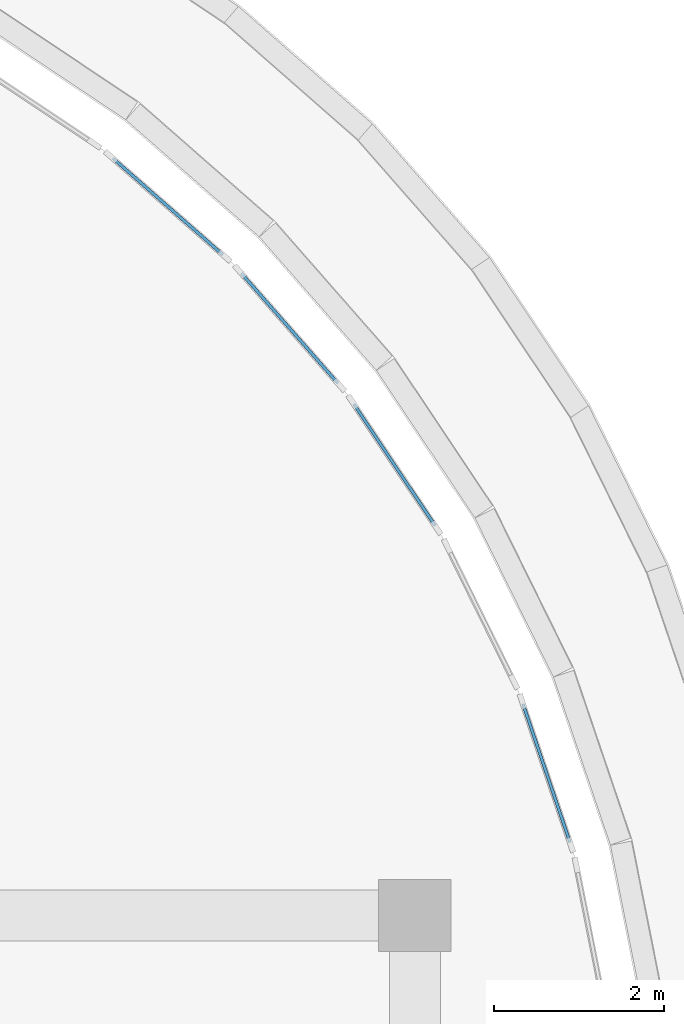
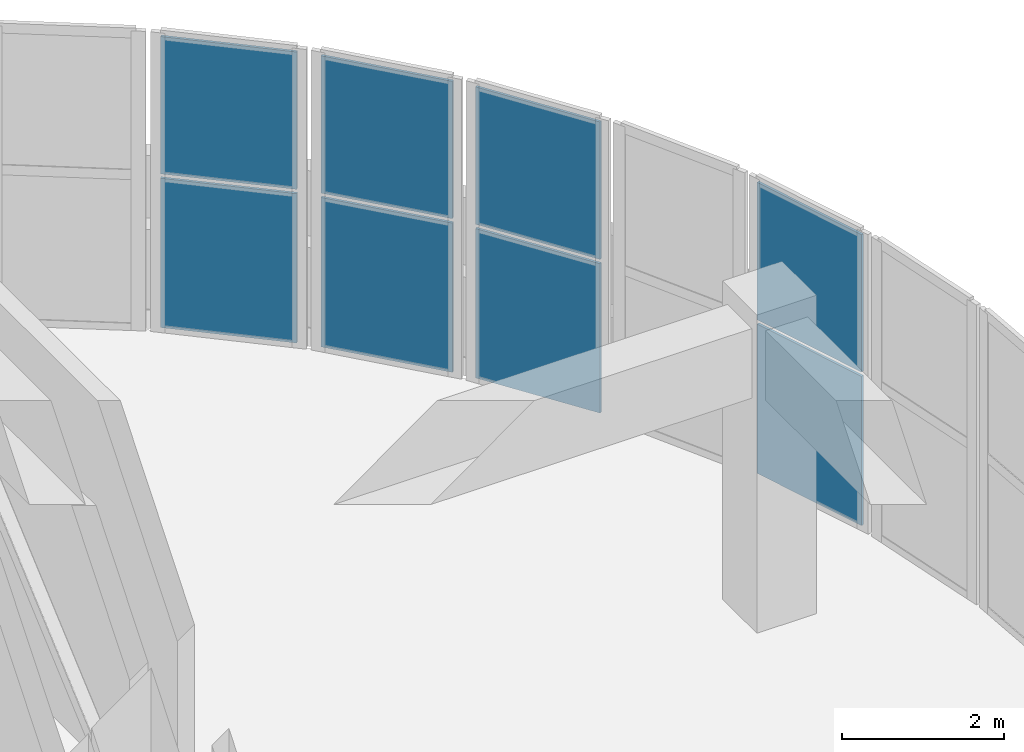
# One storey, part 35 of 67: 8 plates, 4 elements without a shape of their own.
"""IFC4 building model written with IfcOpenShell, lengths in metres."""

from ifc_helpers import new_model, si_unit, direction, frame, origin, origin_2d, place, context, subcontext, project, spatial, rectangle, extrude, material, layer, layer_set, type_object, element, aggregate, save


model = new_model("IFC4")

# Units and contexts
model_context = context("Model", 3, precision=1e-05, world=origin(), true_north=direction((0.0, 1.0)))
body_context = subcontext(model_context, "Body", "Model", "MODEL_VIEW")
ifc_project = project(units=[si_unit("LENGTHUNIT", "METRE"), si_unit("AREAUNIT", "SQUARE_METRE"), si_unit("VOLUMEUNIT", "CUBIC_METRE"), si_unit("PLANEANGLEUNIT", "RADIAN"), si_unit("MASSUNIT", "GRAM", prefix="KILO")], contexts=[model_context])

# Site, building, storey
site_placement = place(None, origin())
site = spatial("IfcSite", under=ifc_project, at=site_placement, CompositionType="ELEMENT")
building_placement = place(site_placement, origin())
building = spatial("IfcBuilding", under=site, at=building_placement, Name="Cendralis Terraced Arcade", CompositionType="ELEMENT")
storey_placement = place(building_placement, frame((0.0, 0.0, 15.0)))
storey = spatial("IfcBuildingStorey", under=building, at=storey_placement, Name="L03", CompositionType="ELEMENT", Elevation=15.0)

# Curtain wall, plates
ifc_material_1 = material(Name="Anodised aluminium EN AW-6063 T6", Category="aluminium")
ifc_layer_1 = layer(ifc_material_1, 0.179931640625, Name="CW-UNIT-A")
ifc_layer_set_1 = layer_set([ifc_layer_1], Name="Anodised aluminium EN AW-6063 T6")
curtain_wall_type = type_object("IfcCurtainWallType", Name="CW-UNIT-A", PredefinedType="USERDEFINED", material=ifc_layer_set_1)
curtain_wall_1_placement = place(storey_placement, origin())
curtain_wall_1 = element("IfcCurtainWall", 1, at=curtain_wall_1_placement, inside=storey, type_object=curtain_wall_type, Name="Exterior Unitised Facade CW-L03-0232", ObjectType="UNITISED FACADE", PredefinedType="USERDEFINED")
ifc_material_2 = material(Name="Tempered solar control laminated glass", Category="glass")
ifc_layer_2 = layer(ifc_material_2, 0.035888671875, Name="CW-UNIT-A-PNL")
ifc_layer_set_2 = layer_set([ifc_layer_2], Name="Tempered solar control laminated glass")
plate_type = type_object("IfcPlateType", Name="CW-UNIT-A-PNL", PredefinedType="CURTAIN_PANEL", material=ifc_layer_set_2)
plate_1_placement = place(storey_placement, frame((163.298095703125, 106.728515625, 0.06494140625), z_axis=(0.0, 0.0, 1.0), x_axis=(0.751818424075, -0.659370197402, 0.0)))
plate_1 = element("IfcPlate", 2, at=plate_1_placement, type_object=plate_type, Name="CW-U1 panel 1.1", PredefinedType="CURTAIN_PANEL", context=body_context, shape_type="SweptSolid", body=[
    extrude(rectangle(XDim=1.717529296875, YDim=0.035888671875, at=origin_2d()), origin(), (0.0, 0.0, 1.0), 2.2529296875),
])
plate_2_placement = place(storey_placement, frame((163.298095703125, 106.728515625, 2.3828125), z_axis=(0.0, 0.0, 1.0), x_axis=(0.751818424075, -0.659370197402, 0.0)))
plate_2 = element("IfcPlate", 3, at=plate_2_placement, type_object=plate_type, Name="CW-U1 panel 1.2", PredefinedType="CURTAIN_PANEL", context=body_context, shape_type="SweptSolid", body=[
    extrude(rectangle(XDim=1.717529296875, YDim=0.035888671875, at=origin_2d()), origin(), (0.0, 0.0, 1.0), 2.072021484375),
])
aggregate(curtain_wall_1, [plate_1, plate_2])

curtain_wall_2_placement = place(storey_placement, origin())
curtain_wall_2 = element("IfcCurtainWall", 4, at=curtain_wall_2_placement, inside=storey, type_object=curtain_wall_type, Name="Exterior Unitised Facade CW-L03-0233", ObjectType="UNITISED FACADE", PredefinedType="USERDEFINED")
plate_3_placement = place(storey_placement, frame((164.728515625, 105.298095703125, 0.06494140625), z_axis=(0.0, 0.0, 1.0), x_axis=(0.659370197402, -0.751818424075, 0.0)))
plate_3 = element("IfcPlate", 5, at=plate_3_placement, type_object=plate_type, Name="CW-U1 panel 1.1", PredefinedType="CURTAIN_PANEL", context=body_context, shape_type="SweptSolid", body=[
    extrude(rectangle(XDim=1.717529296875, YDim=0.035888671875, at=origin_2d()), origin(), (0.0, 0.0, 1.0), 2.2529296875),
])
plate_4_placement = place(storey_placement, frame((164.728515625, 105.298095703125, 2.3828125), z_axis=(0.0, 0.0, 1.0), x_axis=(0.659370197402, -0.751818424075, 0.0)))
plate_4 = element("IfcPlate", 6, at=plate_4_placement, type_object=plate_type, Name="CW-U1 panel 1.2", PredefinedType="CURTAIN_PANEL", context=body_context, shape_type="SweptSolid", body=[
    extrude(rectangle(XDim=1.717529296875, YDim=0.035888671875, at=origin_2d()), origin(), (0.0, 0.0, 1.0), 2.072021484375),
])
aggregate(curtain_wall_2, [plate_3, plate_4])

curtain_wall_3_placement = place(storey_placement, origin())
curtain_wall_3 = element("IfcCurtainWall", 7, at=curtain_wall_3_placement, inside=storey, type_object=curtain_wall_type, Name="Exterior Unitised Facade CW-L03-0234", ObjectType="UNITISED FACADE", PredefinedType="USERDEFINED")
plate_5_placement = place(storey_placement, frame((165.960205078125, 103.69287109375, 0.06494140625), z_axis=(0.0, 0.0, 1.0), x_axis=(0.555549269065, -0.831483619587, 0.0)))
plate_5 = element("IfcPlate", 8, at=plate_5_placement, type_object=plate_type, Name="CW-U1 panel 1.1", PredefinedType="CURTAIN_PANEL", context=body_context, shape_type="SweptSolid", body=[
    extrude(rectangle(XDim=1.717529296875, YDim=0.035888671875, at=origin_2d()), origin(), (0.0, 0.0, 1.0), 2.2529296875),
])
plate_6_placement = place(storey_placement, frame((165.960205078125, 103.69287109375, 2.3828125), z_axis=(0.0, 0.0, 1.0), x_axis=(0.555549269065, -0.831483619587, 0.0)))
plate_6 = element("IfcPlate", 9, at=plate_6_placement, type_object=plate_type, Name="CW-U1 panel 1.2", PredefinedType="CURTAIN_PANEL", context=body_context, shape_type="SweptSolid", body=[
    extrude(rectangle(XDim=1.717529296875, YDim=0.035888671875, at=origin_2d()), origin(), (0.0, 0.0, 1.0), 2.072021484375),
])
aggregate(curtain_wall_3, [plate_5, plate_6])

curtain_wall_4_placement = place(storey_placement, origin())
curtain_wall_4 = element("IfcCurtainWall", 10, at=curtain_wall_4_placement, inside=storey, type_object=curtain_wall_type, Name="Exterior Unitised Facade CW-L03-0236", ObjectType="UNITISED FACADE", PredefinedType="USERDEFINED")
plate_7_placement = place(storey_placement, frame((167.74609375, 100.071533203125, 0.06494140625), z_axis=(0.0, 0.0, 1.0), x_axis=(0.32150002033, -0.946909571674, 0.0)))
plate_7 = element("IfcPlate", 11, at=plate_7_placement, type_object=plate_type, Name="CW-U1 panel 1.1", PredefinedType="CURTAIN_PANEL", context=body_context, shape_type="SweptSolid", body=[
    extrude(rectangle(XDim=1.717529296875, YDim=0.035888671875, at=origin_2d()), origin(), (0.0, 0.0, 1.0), 2.2529296875),
])
plate_8_placement = place(storey_placement, frame((167.74609375, 100.071533203125, 2.3828125), z_axis=(0.0, 0.0, 1.0), x_axis=(0.32150002033, -0.946909571674, 0.0)))
plate_8 = element("IfcPlate", 12, at=plate_8_placement, type_object=plate_type, Name="CW-U1 panel 1.2", PredefinedType="CURTAIN_PANEL", context=body_context, shape_type="SweptSolid", body=[
    extrude(rectangle(XDim=1.717529296875, YDim=0.035888671875, at=origin_2d()), origin(), (0.0, 0.0, 1.0), 2.072021484375),
])
aggregate(curtain_wall_4, [plate_7, plate_8])

save(model, "model.ifc")
